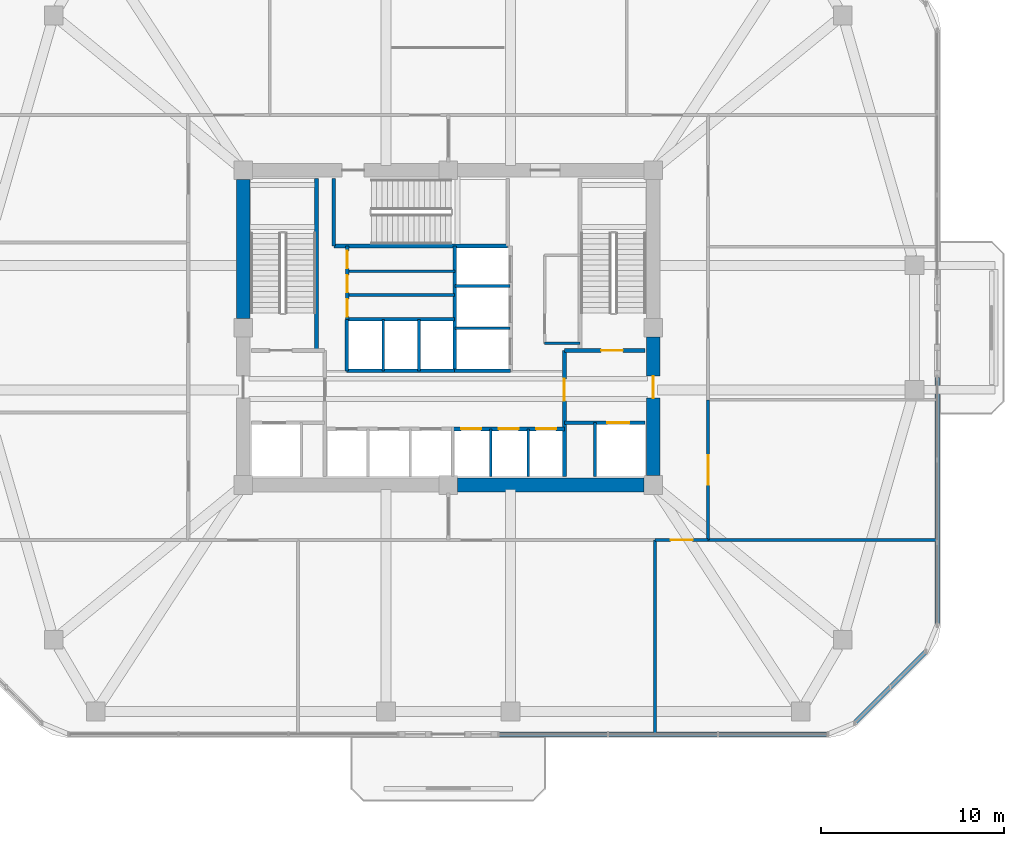
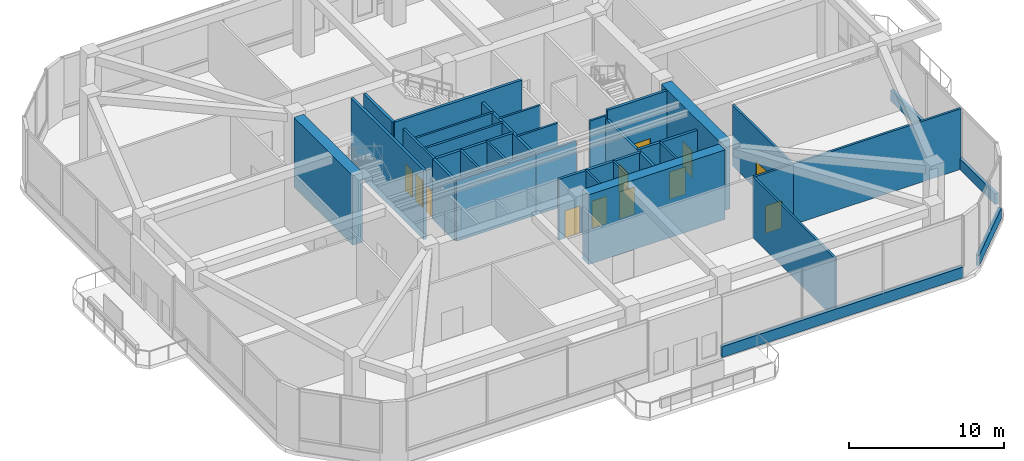
# One storey, part 8 of 13: 33 walls, 12 doors, 12 openings.
"""IFC4 building model written with IfcOpenShell, lengths in metres."""

from ifc_helpers import new_model, si_unit, derived_unit, direction, frame, frame_2d, origin, place, context, subcontext, project, spatial, rectangle, extrude, material, layer, layer_set, type_object, element, fill, save


model = new_model("IFC4")

# Units and contexts
model_context = context("Model", 3, precision=1e-05, world=origin(), true_north=direction((0.0, 1.0)))
body_context = subcontext(model_context, "Body", "Model", "MODEL_VIEW")
ifc_project = project(units=[si_unit("LENGTHUNIT", "METRE"), si_unit("AREAUNIT", "SQUARE_METRE"), si_unit("VOLUMEUNIT", "CUBIC_METRE"), si_unit("PLANEANGLEUNIT", "RADIAN"), si_unit("MASSUNIT", "GRAM", prefix="KILO"), derived_unit("THERMALTRANSMITTANCEUNIT", [(si_unit("POWERUNIT", "WATT"), 1), (si_unit("LENGTHUNIT", "METRE"), -2), (si_unit("THERMODYNAMICTEMPERATUREUNIT", "KELVIN"), -1)])], contexts=[model_context])

# Site, building, storey
site_placement = place(None, origin())
site = spatial("IfcSite", under=ifc_project, at=site_placement, CompositionType="ELEMENT")
building_placement = place(site_placement, origin())
building = spatial("IfcBuilding", under=site, at=building_placement, Name="Koralith Skygarden Medical Center", CompositionType="ELEMENT")
storey_placement = place(building_placement, frame((0.0, 0.0, 75.419921875)))
storey = spatial("IfcBuildingStorey", under=building, at=storey_placement, Name="L19", CompositionType="ELEMENT", Elevation=75.419921875)

# Walls
ifc_material_1 = material(Name="Gypsum Board Partition")
ifc_layer_1 = layer(ifc_material_1, 0.14990234375)
ifc_layer_set_1 = layer_set([ifc_layer_1], Name="Gypsum Board Partition")
wall_type_1 = type_object("IfcWallType", Name="Clinical Acoustic Partition 150", PredefinedType="PARTITIONING", material=ifc_layer_set_1)
wall_1_placement = place(storey_placement, frame((42.27001953125, 25.0400390625, 0.0), z_axis=(0.0, 0.0, 1.0), x_axis=(1.0, 0.0, 0.0)))
element("IfcWall", 1, at=wall_1_placement, inside=storey, type_object=wall_type_1, Name="L19 Clinical Acoustic Partition 150 W-CORE-L19-ESUB-S", PredefinedType="PARTITIONING", context=body_context, shape_type="SweptSolid", body=[
    extrude(rectangle(XDim=1.929931640625, YDim=0.14990234375, at=frame_2d((0.96484375, 0.0))), origin(), (0.0, 0.0, 1.0), 4.77001953125),
])
wall_2_placement = place(storey_placement, frame((31.47998046875, 28.97998046875, 0.0), z_axis=(0.0, 0.0, 1.0), x_axis=(1.0, 0.0, 0.0)))
element("IfcWall", 2, at=wall_2_placement, inside=storey, type_object=wall_type_1, Name="L19 Clinical Acoustic Partition 150 W-CORE-L19-FLEX-H1B", PredefinedType="PARTITIONING", context=body_context, shape_type="SweptSolid", body=[
    extrude(rectangle(XDim=5.89013671875, YDim=0.14990234375, at=frame_2d((2.945068359375, 0.0))), origin(), (0.0, 0.0, 1.0), 4.77001953125),
])
wall_3_placement = place(storey_placement, frame((48.299072265625, 14.2900390625, 0.0), z_axis=(0.0, 0.0, 1.0), x_axis=(0.0, -1.0, 0.0)))
element("IfcWall", 3, at=wall_3_placement, inside=storey, type_object=wall_type_1, Name="L19 Clinical Acoustic Partition 150 W-AMPART-L19-S-2", PredefinedType="PARTITIONING", context=body_context, shape_type="SweptSolid", body=[
    extrude(rectangle(XDim=10.590087890625, YDim=0.14990234375, at=frame_2d((5.294921875, 0.0))), origin(), (0.0, 0.0, 1.0), 4.77001953125),
])
ifc_layer_2 = layer(ifc_material_1, 0.1650390625)
ifc_layer_set_2 = layer_set([ifc_layer_2], Name="Gypsum Board Partition")
wall_type_2 = type_object("IfcWallType", Name="Clinical Corridor Partition 165", PredefinedType="PARTITIONING", material=ifc_layer_set_2)
wall_4_placement = place(storey_placement, frame((51.2099609375, 14.2900390625, 0.0), z_axis=(0.0, 0.0, 1.0), x_axis=(1.0, 0.0, 0.0)))
element("IfcWall", 4, at=wall_4_placement, inside=storey, type_object=wall_type_2, Name="L19 Clinical Corridor Partition 165 W-WB-L19-SE", PredefinedType="PARTITIONING", context=body_context, shape_type="SweptSolid", body=[
    extrude(rectangle(XDim=12.489990234375, YDim=0.1650390625, at=frame_2d((6.2451171875, 0.0))), origin(), (0.0, 0.0, 1.0), 4.77001953125),
])

# Wall, opening, door
wall_5_placement = place(storey_placement, frame((48.299072265625, 14.2900390625, 0.0), z_axis=(0.0, 0.0, 1.0), x_axis=(1.0, 0.0, 0.0)))
wall_5 = element("IfcWall", 5, at=wall_5_placement, inside=storey, type_object=wall_type_2, Name="L19 Clinical Corridor Partition 165 W-AMCOR-L19-S-3", PredefinedType="PARTITIONING", context=body_context, shape_type="SweptSolid", body=[
    extrude(rectangle(XDim=2.910888671875, YDim=0.1650390625, at=frame_2d((1.45556640625, 0.0))), origin(), (0.0, 0.0, 1.0), 4.77001953125),
])
opening_1_placement = place(wall_5_placement, frame((0.85595703125, 0.0, 0.0)))
opening_1 = element("IfcOpeningElement", 6, at=opening_1_placement, cuts=wall_5, Name="Opening D-CLN", PredefinedType="OPENING", context=body_context, shape_type="SweptSolid", body=[
    extrude(rectangle(XDim=1.199951171875, YDim=2.14990234375, at=frame_2d((0.60009765625, 1.074951171875))), frame((0.0, 0.092529296875, 0.0), z_axis=(0.0, -1.0, 0.0), x_axis=(1.0, 0.0, 0.0)), (0.0, 0.0, 1.0), 0.18505859375),
])
ifc_material_2 = material(Name="Aluminium 6063-T6", Category="aluminium")
door_type_1 = type_object("IfcDoorType", Name="Clinical Corridor Door D-CLN 1200", OperationType="NOTDEFINED", PredefinedType="DOOR", material=ifc_material_2)
door_1_placement = place(opening_1_placement, frame((1.199951171875, 0.0, 0.0), z_axis=(0.0, 0.0, 1.0), x_axis=(-1.0, 0.0, 0.0)))
door_1 = element("IfcDoor", 7, at=door_1_placement, inside=storey, type_object=door_type_1, Name="L19 Public Accessible Restroom WC Door", OperationType="SINGLE_SWING_LEFT", OverallHeight=2.14990234375, OverallWidth=1.199951171875, PredefinedType="DOOR", context=body_context, shape_type="SweptSolid", body=[
    extrude(rectangle(XDim=1.199951171875, YDim=2.14990234375, at=frame_2d((0.60009765625, 1.074951171875))), frame((0.0, 0.02490234375, 0.0), z_axis=(0.0, -1.0, 0.0), x_axis=(1.0, 0.0, 0.0)), (0.0, 0.0, 1.0), 0.050048828125),
])
fill(opening_1, door_1)

wall_6_placement = place(storey_placement, frame((51.2099609375, 14.2900390625, 0.0), z_axis=(0.0, 0.0, 1.0), x_axis=(0.0, 1.0, 0.0)))
wall_6 = element("IfcWall", 8, at=wall_6_placement, inside=storey, type_object=wall_type_2, Name="L19 Clinical Corridor Partition 165 W-AMCOR-L19-E-1", PredefinedType="PARTITIONING", context=body_context, shape_type="SweptSolid", body=[
    extrude(rectangle(XDim=7.662841796875, YDim=0.1650390625, at=frame_2d((3.83154296875, 0.0))), origin(), (0.0, 0.0, 1.0), 4.77001953125),
])
opening_2_placement = place(wall_6_placement, frame((3.031982421875, 0.0, 0.0)))
opening_2 = element("IfcOpeningElement", 9, at=opening_2_placement, cuts=wall_6, Name="Opening D-DBL", PredefinedType="OPENING", context=body_context, shape_type="SweptSolid", body=[
    extrude(rectangle(XDim=1.60009765625, YDim=2.199951171875, at=frame_2d((0.800048828125, 1.10009765625))), frame((0.0, 0.092529296875, 0.0), z_axis=(0.0, -1.0, 0.0), x_axis=(1.0, 0.0, 0.0)), (0.0, 0.0, 1.0), 0.18505859375),
])
door_type_2 = type_object("IfcDoorType", Name="Double Clinical Suite Door D-DBL 1600", OperationType="NOTDEFINED", PredefinedType="DOOR", material=ifc_material_2)
door_2_placement = place(opening_2_placement, origin())
door_2 = element("IfcDoor", 10, at=door_2_placement, inside=storey, type_object=door_type_2, Name="L19 Clinical Pharmacy Counseling Office Door", OperationType="DOUBLE_DOOR_SINGLE_SWING", OverallHeight=2.199951171875, OverallWidth=1.60009765625, PredefinedType="DOOR", context=body_context, shape_type="SweptSolid", body=[
    extrude(rectangle(XDim=1.60009765625, YDim=2.199951171875, at=frame_2d((0.800048828125, 1.10009765625))), frame((0.0, 0.02490234375, 0.0), z_axis=(0.0, -1.0, 0.0), x_axis=(1.0, 0.0, 0.0)), (0.0, 0.0, 1.0), 0.050048828125),
])
fill(opening_2, door_2)

ifc_layer_3 = layer(ifc_material_1, 0.199951171875)
ifc_layer_set_3 = layer_set([ifc_layer_3], Name="Gypsum Board Partition")
wall_type_3 = type_object("IfcWallType", Name="Fire Shaft Wall 200", PredefinedType="SOLIDWALL", material=ifc_layer_set_3)
wall_7_placement = place(storey_placement, frame((43.35009765625, 20.699951171875, 0.0), z_axis=(0.0, 0.0, 1.0), x_axis=(1.0, 0.0, 0.0)))
wall_7 = element("IfcWall", 11, at=wall_7_placement, inside=storey, type_object=wall_type_3, Name="L19 Fire Shaft Wall 200 W-CORE-L19-FF2-N", PredefinedType="SOLIDWALL", context=body_context, shape_type="SweptSolid", body=[
    extrude(rectangle(XDim=4.39990234375, YDim=0.199951171875, at=frame_2d((2.199951171875, 0.0))), origin(), (0.0, 0.0, 1.0), 4.77001953125),
])
opening_3_placement = place(wall_7_placement, frame((2.35009765625, 0.0, 0.0)))
opening_3 = element("IfcOpeningElement", 12, at=opening_3_placement, cuts=wall_7, Name="Opening LD-FF", PredefinedType="OPENING", context=body_context, shape_type="SweptSolid", body=[
    extrude(rectangle(XDim=1.199951171875, YDim=2.14990234375, at=frame_2d((0.60009765625, 1.074951171875))), frame((0.0, 0.10986328125, 0.0), z_axis=(0.0, -1.0, 0.0), x_axis=(1.0, 0.0, 0.0)), (0.0, 0.0, 1.0), 0.219970703125),
])
ifc_material_3 = material(Name="Steel ASTM A500 Grade C", Category="steel")
door_type_3 = type_object("IfcDoorType", Name="Fire Lift Sliding Landing Door LD-FF 1200", OperationType="NOTDEFINED", PredefinedType="DOOR", material=ifc_material_3)
door_3_placement = place(opening_3_placement, origin())
door_3 = element("IfcDoor", 13, at=door_3_placement, inside=storey, type_object=door_type_3, Name="L19 Fire Service Elevator FF2 Landing Door", OperationType="SLIDING_TO_RIGHT", OverallHeight=2.14990234375, OverallWidth=1.199951171875, PredefinedType="DOOR", context=body_context, shape_type="SweptSolid", body=[
    extrude(rectangle(XDim=1.199951171875, YDim=2.14990234375, at=frame_2d((0.60009765625, 1.074951171875))), frame((0.0, 0.02490234375, 0.0), z_axis=(0.0, -1.0, 0.0), x_axis=(1.0, 0.0, 0.0)), (0.0, 0.0, 1.0), 0.050048828125),
])
fill(opening_3, door_3)

wall_8_placement = place(storey_placement, frame((43.35009765625, 17.75, 0.0), z_axis=(0.0, 0.0, 1.0), x_axis=(0.0, 1.0, 0.0)))
wall_8 = element("IfcWall", 14, at=wall_8_placement, inside=storey, type_object=wall_type_3, Name="L19 Fire Shaft Wall 200 W-CORE-L19-FSAEE-W", PredefinedType="SOLIDWALL", context=body_context, shape_type="SweptSolid", body=[
    extrude(rectangle(XDim=6.89990234375, YDim=0.199951171875, at=frame_2d((3.449951171875, 0.0))), origin(), (0.0, 0.0, 1.0), 4.77001953125),
])
opening_4_placement = place(wall_8_placement, frame((4.14990234375, 0.0, 0.0)))
opening_4 = element("IfcOpeningElement", 15, at=opening_4_placement, cuts=wall_8, Name="Opening D-ST60", PredefinedType="OPENING", context=body_context, shape_type="SweptSolid", body=[
    extrude(rectangle(XDim=1.199951171875, YDim=2.14990234375, at=frame_2d((0.60009765625, 1.074951171875))), frame((0.0, 0.10986328125, 0.0), z_axis=(0.0, -1.0, 0.0), x_axis=(1.0, 0.0, 0.0)), (0.0, 0.0, 1.0), 0.219970703125),
])
door_type_4 = type_object("IfcDoorType", Name="Smokeproof Stair Fire Door FD60S 1200", OperationType="NOTDEFINED", PredefinedType="DOOR", material=ifc_material_3)
door_4_placement = place(opening_4_placement, frame((1.199951171875, 0.0, 0.0), z_axis=(0.0, 0.0, 1.0), x_axis=(-1.0, 0.0, 0.0)))
door_4 = element("IfcDoor", 16, at=door_4_placement, inside=storey, type_object=door_type_4, Name="L19 East Firefighting Lobby Inner Fire Door", OperationType="SINGLE_SWING_RIGHT", OverallHeight=2.14990234375, OverallWidth=1.199951171875, PredefinedType="DOOR", context=body_context, shape_type="SweptSolid", body=[
    extrude(rectangle(XDim=1.199951171875, YDim=2.14990234375, at=frame_2d((0.60009765625, 1.074951171875))), frame((0.0, 0.02490234375, 0.0), z_axis=(0.0, -1.0, 0.0), x_axis=(1.0, 0.0, 0.0)), (0.0, 0.0, 1.0), 0.050048828125),
])
fill(opening_4, door_4)

# Wall, openings, doors
wall_9_placement = place(storey_placement, frame((37.25, 20.360107421875, 0.0), z_axis=(0.0, 0.0, 1.0), x_axis=(1.0, 0.0, 0.0)))
wall_9 = element("IfcWall", 17, at=wall_9_placement, inside=storey, type_object=wall_type_3, Name="L19 Fire Shaft Wall 200 W-CORE-L19-PM-N", PredefinedType="SOLIDWALL", context=body_context, shape_type="SweptSolid", body=[
    extrude(rectangle(XDim=6.10009765625, YDim=0.199951171875, at=frame_2d((3.050048828125, 0.0))), origin(), (0.0, 0.0, 1.0), 4.77001953125),
])
opening_5_placement = place(wall_9_placement, frame((0.449951171875, 0.0, 0.0)))
opening_5 = element("IfcOpeningElement", 18, at=opening_5_placement, cuts=wall_9, Name="Opening LD-P", PredefinedType="OPENING", context=body_context, shape_type="SweptSolid", body=[
    extrude(rectangle(XDim=1.10009765625, YDim=2.14990234375, at=frame_2d((0.550048828125, 1.074951171875))), frame((0.0, 0.10986328125, 0.0), z_axis=(0.0, -1.0, 0.0), x_axis=(1.0, 0.0, 0.0)), (0.0, 0.0, 1.0), 0.219970703125),
])
opening_6_placement = place(wall_9_placement, frame((2.5, 0.0, 0.0)))
opening_6 = element("IfcOpeningElement", 19, at=opening_6_placement, cuts=wall_9, Name="Opening LD-P", PredefinedType="OPENING", context=body_context, shape_type="SweptSolid", body=[
    extrude(rectangle(XDim=1.10009765625, YDim=2.14990234375, at=frame_2d((0.550048828125, 1.074951171875))), frame((0.0, 0.10986328125, 0.0), z_axis=(0.0, -1.0, 0.0), x_axis=(1.0, 0.0, 0.0)), (0.0, 0.0, 1.0), 0.219970703125),
])
opening_7_placement = place(wall_9_placement, frame((4.550048828125, 0.0, 0.0)))
opening_7 = element("IfcOpeningElement", 20, at=opening_7_placement, cuts=wall_9, Name="Opening LD-P", PredefinedType="OPENING", context=body_context, shape_type="SweptSolid", body=[
    extrude(rectangle(XDim=1.10009765625, YDim=2.14990234375, at=frame_2d((0.550048828125, 1.074951171875))), frame((0.0, 0.10986328125, 0.0), z_axis=(0.0, -1.0, 0.0), x_axis=(1.0, 0.0, 0.0)), (0.0, 0.0, 1.0), 0.219970703125),
])
door_type_5 = type_object("IfcDoorType", Name="Passenger Lift Sliding Landing Door LD-P 1100", OperationType="NOTDEFINED", PredefinedType="DOOR", material=ifc_material_3)
door_5_placement = place(opening_5_placement, origin())
door_5 = element("IfcDoor", 21, at=door_5_placement, inside=storey, type_object=door_type_5, Name="L19 Passenger Elevator PM1 Landing Door", OperationType="SLIDING_TO_LEFT", OverallHeight=2.14990234375, OverallWidth=1.10009765625, PredefinedType="DOOR", context=body_context, shape_type="SweptSolid", body=[
    extrude(rectangle(XDim=1.10009765625, YDim=2.14990234375, at=frame_2d((0.550048828125, 1.074951171875))), frame((0.0, 0.02490234375, 0.0), z_axis=(0.0, -1.0, 0.0), x_axis=(1.0, 0.0, 0.0)), (0.0, 0.0, 1.0), 0.050048828125),
])
fill(opening_5, door_5)
door_6_placement = place(opening_6_placement, origin())
door_6 = element("IfcDoor", 22, at=door_6_placement, inside=storey, type_object=door_type_5, Name="L19 Passenger Elevator PM2 Landing Door", OperationType="SLIDING_TO_LEFT", OverallHeight=2.14990234375, OverallWidth=1.10009765625, PredefinedType="DOOR", context=body_context, shape_type="SweptSolid", body=[
    extrude(rectangle(XDim=1.10009765625, YDim=2.14990234375, at=frame_2d((0.550048828125, 1.074951171875))), frame((0.0, 0.02490234375, 0.0), z_axis=(0.0, -1.0, 0.0), x_axis=(1.0, 0.0, 0.0)), (0.0, 0.0, 1.0), 0.050048828125),
])
fill(opening_6, door_6)
door_7_placement = place(opening_7_placement, origin())
door_7 = element("IfcDoor", 23, at=door_7_placement, inside=storey, type_object=door_type_5, Name="L19 Passenger Elevator PM3 Landing Door", OperationType="SLIDING_TO_LEFT", OverallHeight=2.14990234375, OverallWidth=1.10009765625, PredefinedType="DOOR", context=body_context, shape_type="SweptSolid", body=[
    extrude(rectangle(XDim=1.10009765625, YDim=2.14990234375, at=frame_2d((0.550048828125, 1.074951171875))), frame((0.0, 0.02490234375, 0.0), z_axis=(0.0, -1.0, 0.0), x_axis=(1.0, 0.0, 0.0)), (0.0, 0.0, 1.0), 0.050048828125),
])
fill(opening_7, door_7)

# Walls
for number, where, z_axis, x_axis, name in (
    (24, (31.449951171875, 23.5400390625, 0.0), (0.0, 0.0, 1.0), (1.0, 0.0, 0.0), "L19 Fire Shaft Wall 200 W-CORE-L19-PH-S"),
    (25, (31.449951171875, 26.35009765625, 0.0), (0.0, 0.0, 1.0), (1.0, 0.0, 0.0), "L19 Fire Shaft Wall 200 W-CORE-L19-PH-N"),
):
    element("IfcWall", number, at=place(storey_placement, frame(where, z_axis=z_axis, x_axis=x_axis)), inside=storey, type_object=wall_type_3, Name=name, PredefinedType="SOLIDWALL", context=body_context, shape_type="SweptSolid", body=[
        extrude(rectangle(XDim=5.900146484375, YDim=0.199951171875, at=frame_2d((2.9501953125, 0.0))), origin(), (0.0, 0.0, 1.0), 4.77001953125),
    ])
wall_10_placement = place(storey_placement, frame((31.449951171875, 23.5400390625, 0.0), z_axis=(0.0, 0.0, 1.0), x_axis=(0.0, 1.0, 0.0)))
element("IfcWall", 26, at=wall_10_placement, inside=storey, type_object=wall_type_3, Name="L19 Fire Shaft Wall 200 W-CORE-L19-PH-W", PredefinedType="SOLIDWALL", context=body_context, shape_type="SweptSolid", body=[
    extrude(rectangle(XDim=2.81005859375, YDim=0.199951171875, at=frame_2d((1.405029296875, 0.0))), origin(), (0.0, 0.0, 1.0), 4.77001953125),
])
wall_11_placement = place(storey_placement, frame((37.35009765625, 23.5400390625, 0.0), z_axis=(0.0, 0.0, 1.0), x_axis=(0.0, 1.0, 0.0)))
element("IfcWall", 27, at=wall_11_placement, inside=storey, type_object=wall_type_3, Name="L19 Fire Shaft Wall 200 W-CORE-L19-SV-W", PredefinedType="SOLIDWALL", context=body_context, shape_type="SweptSolid", body=[
    extrude(rectangle(XDim=6.820068359375, YDim=0.199951171875, at=frame_2d((3.41015625, 0.0))), origin(), (0.0, 0.0, 1.0), 4.77001953125),
])
wall_12_placement = place(storey_placement, frame((37.35009765625, 23.5400390625, 0.0), z_axis=(0.0, 0.0, 1.0), x_axis=(1.0, 0.0, 0.0)))
element("IfcWall", 28, at=wall_12_placement, inside=storey, type_object=wall_type_3, Name="L19 Fire Shaft Wall 200 W-CORE-L19-SV-S", PredefinedType="SOLIDWALL", context=body_context, shape_type="SweptSolid", body=[
    extrude(rectangle(XDim=3.0498046875, YDim=0.199951171875, at=frame_2d((1.52490234375, 0.0))), origin(), (0.0, 0.0, 1.0), 4.77001953125),
])
ifc_material_4 = material(Name="Warm Oolitic Limestone Cladding", Category="masonry")
ifc_layer_4 = layer(ifc_material_4, 0.239990234375)
ifc_layer_set_4 = layer_set([ifc_layer_4], Name="Warm Oolitic Limestone Cladding")
wall_type_4 = type_object("IfcWallType", Name="Limestone Spandrel Sill Backup Wall 240", PredefinedType="SOLIDWALL", material=ifc_layer_set_4)
wall_13_placement = place(storey_placement, frame((39.739013671875, 3.679931640625, 0.0), z_axis=(0.0, 0.0, 1.0), x_axis=(1.0, 0.0, 0.0)))
element("IfcWall", 29, at=wall_13_placement, inside=storey, type_object=wall_type_4, Name="L19 Sill Spandrel S-R", PredefinedType="SOLIDWALL", context=body_context, shape_type="SweptSolid", body=[
    extrude(rectangle(XDim=18.006103515625, YDim=0.239990234375, at=frame_2d((9.0029296875, 0.0))), origin(), (0.0, 0.0, 1.0), 0.85009765625),
])
wall_14_placement = place(storey_placement, frame((59.196044921875, 4.281005859375, 0.0), z_axis=(0.0, 0.0, 1.0), x_axis=(0.707084777957, 0.707128783731, 0.0)))
element("IfcWall", 30, at=wall_14_placement, inside=storey, type_object=wall_type_4, Name="L19 Sill Spandrel SE", PredefinedType="SOLIDWALL", context=body_context, shape_type="SweptSolid", body=[
    extrude(rectangle(XDim=5.5478515625, YDim=0.239990234375, at=frame_2d((2.77392578125, 0.0))), origin(), (0.0, 0.0, 1.0), 0.85009765625),
])
wall_15_placement = place(storey_placement, frame((63.719970703125, 9.655029296875, 0.0), z_axis=(0.0, 0.0, 1.0), x_axis=(0.0, 1.0, 0.0)))
element("IfcWall", 31, at=wall_15_placement, inside=storey, type_object=wall_type_4, Name="L19 Sill Spandrel E-L", PredefinedType="SOLIDWALL", context=body_context, shape_type="SweptSolid", body=[
    extrude(rectangle(XDim=13.50390625, YDim=0.239990234375, at=frame_2d((6.751953125, 0.0))), origin(), (0.0, 0.0, 1.0), 0.85009765625),
])
ifc_material_5 = material(Name="Concrete C70/85", Category="concrete")
ifc_layer_5 = layer(ifc_material_5, 0.75)
ifc_layer_set_5 = layer_set([ifc_layer_5], Name="Concrete C70/85")
wall_type_5 = type_object("IfcWallType", Name="Mid Core Shear Wall 750", PredefinedType="SHEAR", material=ifc_layer_set_5)
wall_16_placement = place(storey_placement, frame((37.5048828125, 17.300048828125, 0.0), z_axis=(0.0, 0.0, 1.0), x_axis=(1.0, 0.0, 0.0)))
element("IfcWall", 32, at=wall_16_placement, inside=storey, type_object=wall_type_5, Name="L19 Core Shear Wall Segment 2", PredefinedType="SHEAR", context=body_context, shape_type="SweptSolid", body=[
    extrude(rectangle(XDim=10.190185546875, YDim=0.75, at=frame_2d((5.09521484375, 0.0))), origin(), (0.0, 0.0, 1.0), 5.47998046875),
])

# Wall, opening, door
wall_17_placement = place(storey_placement, frame((48.199951171875, 17.804931640625, 0.0), z_axis=(0.0, 0.0, 1.0), x_axis=(0.0, 1.0, 0.0)))
wall_17 = element("IfcWall", 33, at=wall_17_placement, inside=storey, type_object=wall_type_5, Name="L19 Core Shear Wall Segment 3", PredefinedType="SHEAR", context=body_context, shape_type="SweptSolid", body=[
    extrude(rectangle(XDim=7.590087890625, YDim=0.75, at=frame_2d((3.794921875, 0.0))), origin(), (0.0, 0.0, 1.0), 5.47998046875),
])
opening_8_placement = place(wall_17_placement, frame((4.2451171875, 0.0, 0.0)))
opening_8 = element("IfcOpeningElement", 34, at=opening_8_placement, cuts=wall_17, Name="Opening D-ST60", PredefinedType="OPENING", context=body_context, shape_type="SweptSolid", body=[
    extrude(rectangle(XDim=1.199951171875, YDim=2.14990234375, at=frame_2d((0.60009765625, 1.074951171875))), frame((0.0, 0.385009765625, 0.0), z_axis=(0.0, -1.0, 0.0), x_axis=(1.0, 0.0, 0.0)), (0.0, 0.0, 1.0), 0.77001953125),
])
door_8_placement = place(opening_8_placement, frame((1.199951171875, 0.0, 0.0), z_axis=(0.0, 0.0, 1.0), x_axis=(-1.0, 0.0, 0.0)))
door_8 = element("IfcDoor", 35, at=door_8_placement, inside=storey, type_object=door_type_4, Name="L19 East Corridor to Firefighting Lobby Door", OperationType="SINGLE_SWING_RIGHT", OverallHeight=2.14990234375, OverallWidth=1.199951171875, PredefinedType="DOOR", context=body_context, shape_type="SweptSolid", body=[
    extrude(rectangle(XDim=1.199951171875, YDim=2.14990234375, at=frame_2d((0.60009765625, 1.074951171875))), frame((0.0, 0.02490234375, 0.0), z_axis=(0.0, -1.0, 0.0), x_axis=(1.0, 0.0, 0.0)), (0.0, 0.0, 1.0), 0.050048828125),
])
fill(opening_8, door_8)

# Wall
wall_18_placement = place(storey_placement, frame((25.800048828125, 33.9951171875, 0.0), z_axis=(0.0, 0.0, 1.0), x_axis=(0.0, -1.0, 0.0)))
element("IfcWall", 36, at=wall_18_placement, inside=storey, type_object=wall_type_5, Name="L19 Core Shear Wall Segment 7", PredefinedType="SHEAR", context=body_context, shape_type="SweptSolid", body=[
    extrude(rectangle(XDim=7.590087890625, YDim=0.75, at=frame_2d((3.794921875, 0.0))), origin(), (0.0, 0.0, 1.0), 5.47998046875),
])

# Wall, openings, doors
ifc_layer_6 = layer(ifc_material_1, 0.1650390625)
ifc_layer_set_6 = layer_set([ifc_layer_6], Name="Gypsum Board Partition")
wall_type_6 = type_object("IfcWallType", Name="Plumbing Wet Wall 165", PredefinedType="PLUMBINGWALL", material=ifc_layer_set_6)
wall_19_placement = place(storey_placement, frame((31.47998046875, 26.320068359375, 0.0), z_axis=(0.0, 0.0, 1.0), x_axis=(0.0, 1.0, 0.0)))
wall_19 = element("IfcWall", 37, at=wall_19_placement, inside=storey, type_object=wall_type_6, Name="L19 Plumbing Wet Wall 165 W-CORE-L19-FLEX-W", PredefinedType="PLUMBINGWALL", context=body_context, shape_type="SweptSolid", body=[
    extrude(rectangle(XDim=4.0400390625, YDim=0.1650390625, at=frame_2d((2.02001953125, 0.0))), origin(), (0.0, 0.0, 1.0), 4.77001953125),
])
opening_9_placement = place(wall_19_placement, frame((0.179931640625, 0.0, 0.0)))
opening_9 = element("IfcOpeningElement", 38, at=opening_9_placement, cuts=wall_19, Name="Opening D-WC", PredefinedType="OPENING", context=body_context, shape_type="SweptSolid", body=[
    extrude(rectangle(XDim=0.949951171875, YDim=2.10009765625, at=frame_2d((0.47509765625, 1.050048828125))), frame((0.0, 0.092529296875, 0.0), z_axis=(0.0, -1.0, 0.0), x_axis=(1.0, 0.0, 0.0)), (0.0, 0.0, 1.0), 0.18505859375),
])
opening_10_placement = place(wall_19_placement, frame((1.5, 0.0, 0.0)))
opening_10 = element("IfcOpeningElement", 39, at=opening_10_placement, cuts=wall_19, Name="Opening D-WC", PredefinedType="OPENING", context=body_context, shape_type="SweptSolid", body=[
    extrude(rectangle(XDim=0.949951171875, YDim=2.10009765625, at=frame_2d((0.47509765625, 1.050048828125))), frame((0.0, 0.092529296875, 0.0), z_axis=(0.0, -1.0, 0.0), x_axis=(1.0, 0.0, 0.0)), (0.0, 0.0, 1.0), 0.18505859375),
])
opening_11_placement = place(wall_19_placement, frame((2.820068359375, 0.0, 0.0)))
opening_11 = element("IfcOpeningElement", 40, at=opening_11_placement, cuts=wall_19, Name="Opening D-WC", PredefinedType="OPENING", context=body_context, shape_type="SweptSolid", body=[
    extrude(rectangle(XDim=0.949951171875, YDim=2.10009765625, at=frame_2d((0.47509765625, 1.050048828125))), frame((0.0, 0.092529296875, 0.0), z_axis=(0.0, -1.0, 0.0), x_axis=(1.0, 0.0, 0.0)), (0.0, 0.0, 1.0), 0.18505859375),
])
door_type_6 = type_object("IfcDoorType", Name="Accessible Toilet Door D-WC 950", OperationType="NOTDEFINED", PredefinedType="DOOR", material=ifc_material_2)
door_9_placement = place(opening_9_placement, frame((0.949951171875, 0.0, 0.0), z_axis=(0.0, 0.0, 1.0), x_axis=(-1.0, 0.0, 0.0)))
door_9 = element("IfcDoor", 41, at=door_9_placement, inside=storey, type_object=door_type_6, Name="L19 Core Accessible WC Door", OperationType="SINGLE_SWING_LEFT", OverallHeight=2.10009765625, OverallWidth=0.949951171875, PredefinedType="DOOR", context=body_context, shape_type="SweptSolid", body=[
    extrude(rectangle(XDim=0.949951171875, YDim=2.10009765625, at=frame_2d((0.47509765625, 1.050048828125))), frame((0.0, 0.02490234375, 0.0), z_axis=(0.0, -1.0, 0.0), x_axis=(1.0, 0.0, 0.0)), (0.0, 0.0, 1.0), 0.050048828125),
])
fill(opening_9, door_9)
door_10_placement = place(opening_10_placement, frame((0.949951171875, 0.0, 0.0), z_axis=(0.0, 0.0, 1.0), x_axis=(-1.0, 0.0, 0.0)))
door_10 = element("IfcDoor", 42, at=door_10_placement, inside=storey, type_object=door_type_6, Name="L19 Staff Pantry Door", OperationType="SINGLE_SWING_LEFT", OverallHeight=2.10009765625, OverallWidth=0.949951171875, PredefinedType="DOOR", context=body_context, shape_type="SweptSolid", body=[
    extrude(rectangle(XDim=0.949951171875, YDim=2.10009765625, at=frame_2d((0.47509765625, 1.050048828125))), frame((0.0, 0.02490234375, 0.0), z_axis=(0.0, -1.0, 0.0), x_axis=(1.0, 0.0, 0.0)), (0.0, 0.0, 1.0), 0.050048828125),
])
fill(opening_10, door_10)
door_11_placement = place(opening_11_placement, frame((0.949951171875, 0.0, 0.0), z_axis=(0.0, 0.0, 1.0), x_axis=(-1.0, 0.0, 0.0)))
door_11 = element("IfcDoor", 43, at=door_11_placement, inside=storey, type_object=door_type_6, Name="L19 IT Comms Door", OperationType="SINGLE_SWING_RIGHT", OverallHeight=2.10009765625, OverallWidth=0.949951171875, PredefinedType="DOOR", context=body_context, shape_type="SweptSolid", body=[
    extrude(rectangle(XDim=0.949951171875, YDim=2.10009765625, at=frame_2d((0.47509765625, 1.050048828125))), frame((0.0, 0.02490234375, 0.0), z_axis=(0.0, -1.0, 0.0), x_axis=(1.0, 0.0, 0.0)), (0.0, 0.0, 1.0), 0.050048828125),
])
fill(opening_11, door_11)

# Walls
wall_20_placement = place(storey_placement, frame((31.47998046875, 27.679931640625, 0.0), z_axis=(0.0, 0.0, 1.0), x_axis=(1.0, 0.0, 0.0)))
element("IfcWall", 44, at=wall_20_placement, inside=storey, type_object=wall_type_6, Name="L19 Plumbing Wet Wall 165 W-CORE-L19-FLEX-H1A", PredefinedType="PLUMBINGWALL", context=body_context, shape_type="SweptSolid", body=[
    extrude(rectangle(XDim=5.8701171875, YDim=0.1650390625, at=frame_2d((2.93505859375, 0.0))), origin(), (0.0, 0.0, 1.0), 4.77001953125),
])
ifc_layer_7 = layer(ifc_material_1, 0.14990234375)
ifc_layer_set_7 = layer_set([ifc_layer_7], Name="Gypsum Board Partition")
wall_type_7 = type_object("IfcWallType", Name="Shaft Partition Wall 150", PredefinedType="PARTITIONING", material=ifc_layer_set_7)
wall_21_placement = place(storey_placement, frame((45.02001953125, 17.75, 0.0), z_axis=(0.0, 0.0, 1.0), x_axis=(0.0, 1.0, 0.0)))
element("IfcWall", 45, at=wall_21_placement, inside=storey, type_object=wall_type_7, Name="L19 Shaft Partition Wall 150 W-CORE-L19-RSRE-DIV", PredefinedType="PARTITIONING", context=body_context, shape_type="SweptSolid", body=[
    extrude(rectangle(XDim=2.949951171875, YDim=0.14990234375, at=frame_2d((1.47509765625, 0.0))), origin(), (0.0, 0.0, 1.0), 4.77001953125),
])
for number, where, z_axis, x_axis, name in (
    (46, (39.320068359375, 17.75, 0.0), (0.0, 0.0, 1.0), (0.0, 1.0, 0.0), "L19 Shaft Partition Wall 150 W-CORE-L19-PM-D1"),
    (47, (41.3701171875, 17.75, 0.0), (0.0, 0.0, 1.0), (0.0, 1.0, 0.0), "L19 Shaft Partition Wall 150 W-CORE-L19-PM-D2"),
):
    element("IfcWall", number, at=place(storey_placement, frame(where, z_axis=z_axis, x_axis=x_axis)), inside=storey, type_object=wall_type_7, Name=name, PredefinedType="PARTITIONING", context=body_context, shape_type="SweptSolid", body=[
        extrude(rectangle(XDim=2.610107421875, YDim=0.14990234375, at=frame_2d((1.30517578125, 0.0))), origin(), (0.0, 0.0, 1.0), 4.77001953125),
    ])
for number, where, z_axis, x_axis, name in (
    (48, (33.449951171875, 23.5400390625, 0.0), (0.0, 0.0, 1.0), (0.0, 1.0, 0.0), "L19 Shaft Partition Wall 150 W-CORE-L19-PH-D1"),
    (49, (35.39990234375, 23.5400390625, 0.0), (0.0, 0.0, 1.0), (0.0, 1.0, 0.0), "L19 Shaft Partition Wall 150 W-CORE-L19-PH-D2"),
):
    element("IfcWall", number, at=place(storey_placement, frame(where, z_axis=z_axis, x_axis=x_axis)), inside=storey, type_object=wall_type_7, Name=name, PredefinedType="PARTITIONING", context=body_context, shape_type="SweptSolid", body=[
        extrude(rectangle(XDim=2.81005859375, YDim=0.14990234375, at=frame_2d((1.405029296875, 0.0))), origin(), (0.0, 0.0, 1.0), 4.77001953125),
    ])
for number, where, z_axis, x_axis, name in (
    (50, (37.3701171875, 25.8701171875, 0.0), (0.0, 0.0, 1.0), (1.0, 0.0, 0.0), "L19 Shaft Partition Wall 150 W-CORE-L19-SV-D1"),
    (51, (37.3701171875, 28.169921875, 0.0), (0.0, 0.0, 1.0), (1.0, 0.0, 0.0), "L19 Shaft Partition Wall 150 W-CORE-L19-SV-D2"),
):
    element("IfcWall", number, at=place(storey_placement, frame(where, z_axis=z_axis, x_axis=x_axis)), inside=storey, type_object=wall_type_7, Name=name, PredefinedType="PARTITIONING", context=body_context, shape_type="SweptSolid", body=[
        extrude(rectangle(XDim=3.009765625, YDim=0.14990234375, at=frame_2d((1.5048828125, 0.0))), origin(), (0.0, 0.0, 1.0), 4.77001953125),
    ])
ifc_material_6 = material(Name="Concrete C45/55", Category="concrete")
ifc_layer_8 = layer(ifc_material_6, 0.199951171875)
ifc_layer_set_8 = layer_set([ifc_layer_8], Name="Concrete C45/55")
wall_type_8 = type_object("IfcWallType", Name="Structural Stair Shaft Wall 200", PredefinedType="SHEAR", material=ifc_layer_set_8)
wall_22_placement = place(storey_placement, frame((29.800048828125, 24.64990234375, 0.0), z_axis=(0.0, 0.0, 1.0), x_axis=(0.0, 1.0, 0.0)))
element("IfcWall", 52, at=wall_22_placement, inside=storey, type_object=wall_type_8, Name="L19 Structural Stair Shaft Wall 200 W-CORE-L19-ST1-E", PredefinedType="SHEAR", context=body_context, shape_type="SweptSolid", body=[
    extrude(rectangle(XDim=9.400146484375, YDim=0.199951171875, at=frame_2d((4.7001953125, 0.0))), origin(), (0.0, 0.0, 1.0), 5.47998046875),
])

# Wall, opening, door
wall_23_placement = place(storey_placement, frame((43.35009765625, 24.64990234375, 0.0), z_axis=(0.0, 0.0, 1.0), x_axis=(1.0, 0.0, 0.0)))
wall_23 = element("IfcWall", 53, at=wall_23_placement, inside=storey, type_object=wall_type_8, Name="L19 Structural Stair Shaft Wall 200 W-CORE-L19-ST2-S", PredefinedType="SHEAR", context=body_context, shape_type="SweptSolid", body=[
    extrude(rectangle(XDim=4.39990234375, YDim=0.199951171875, at=frame_2d((2.199951171875, 0.0))), origin(), (0.0, 0.0, 1.0), 5.47998046875),
])
opening_12_placement = place(wall_23_placement, frame((2.0, 0.0, 0.0)))
opening_12 = element("IfcOpeningElement", 54, at=opening_12_placement, cuts=wall_23, Name="Opening D-ST60", PredefinedType="OPENING", context=body_context, shape_type="SweptSolid", body=[
    extrude(rectangle(XDim=1.199951171875, YDim=2.14990234375, at=frame_2d((0.60009765625, 1.074951171875))), frame((0.0, 0.10986328125, 0.0), z_axis=(0.0, -1.0, 0.0), x_axis=(1.0, 0.0, 0.0)), (0.0, 0.0, 1.0), 0.219970703125),
])
door_12_placement = place(opening_12_placement, origin())
door_12 = element("IfcDoor", 55, at=door_12_placement, inside=storey, type_object=door_type_4, Name="L19 Exit Stair ST2 Fire Door", OperationType="SINGLE_SWING_RIGHT", OverallHeight=2.14990234375, OverallWidth=1.199951171875, PredefinedType="DOOR", context=body_context, shape_type="SweptSolid", body=[
    extrude(rectangle(XDim=1.199951171875, YDim=2.14990234375, at=frame_2d((0.60009765625, 1.074951171875))), frame((0.0, 0.02490234375, 0.0), z_axis=(0.0, -1.0, 0.0), x_axis=(1.0, 0.0, 0.0)), (0.0, 0.0, 1.0), 0.050048828125),
])
fill(opening_12, door_12)

# Walls
wall_24_placement = place(storey_placement, frame((30.75, 30.360107421875, 0.0), z_axis=(0.0, 0.0, 1.0), x_axis=(1.0, 0.0, 0.0)))
element("IfcWall", 56, at=wall_24_placement, inside=storey, type_object=wall_type_8, Name="L19 Structural Stair Shaft Wall 200 W-CORE-L19-ST3-S", PredefinedType="SHEAR", context=body_context, shape_type="SweptSolid", body=[
    extrude(rectangle(XDim=9.5, YDim=0.199951171875, at=frame_2d((4.75, 0.0))), origin(), (0.0, 0.0, 1.0), 5.47998046875),
])
wall_25_placement = place(storey_placement, frame((30.75, 30.360107421875, 0.0), z_axis=(0.0, 0.0, 1.0), x_axis=(0.0, 1.0, 0.0)))
element("IfcWall", 57, at=wall_25_placement, inside=storey, type_object=wall_type_8, Name="L19 Structural Stair Shaft Wall 200 W-CORE-L19-ST3-W", PredefinedType="SHEAR", context=body_context, shape_type="SweptSolid", body=[
    extrude(rectangle(XDim=3.68994140625, YDim=0.199951171875, at=frame_2d((1.844970703125, 0.0))), origin(), (0.0, 0.0, 1.0), 5.47998046875),
])

save(model, "model.ifc")
